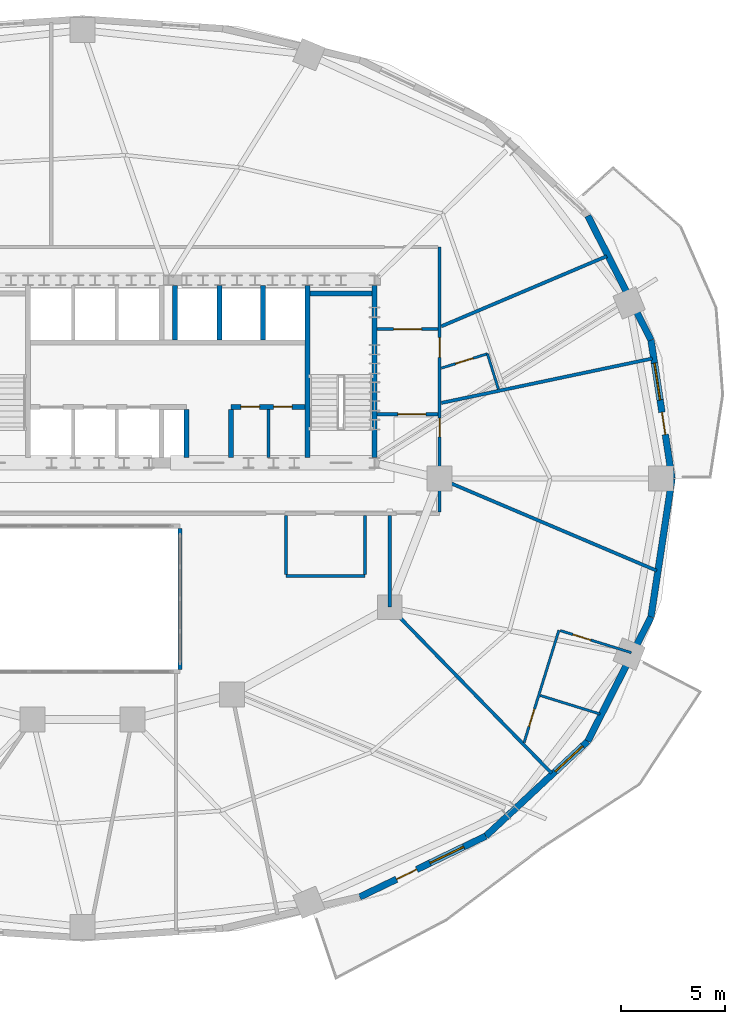
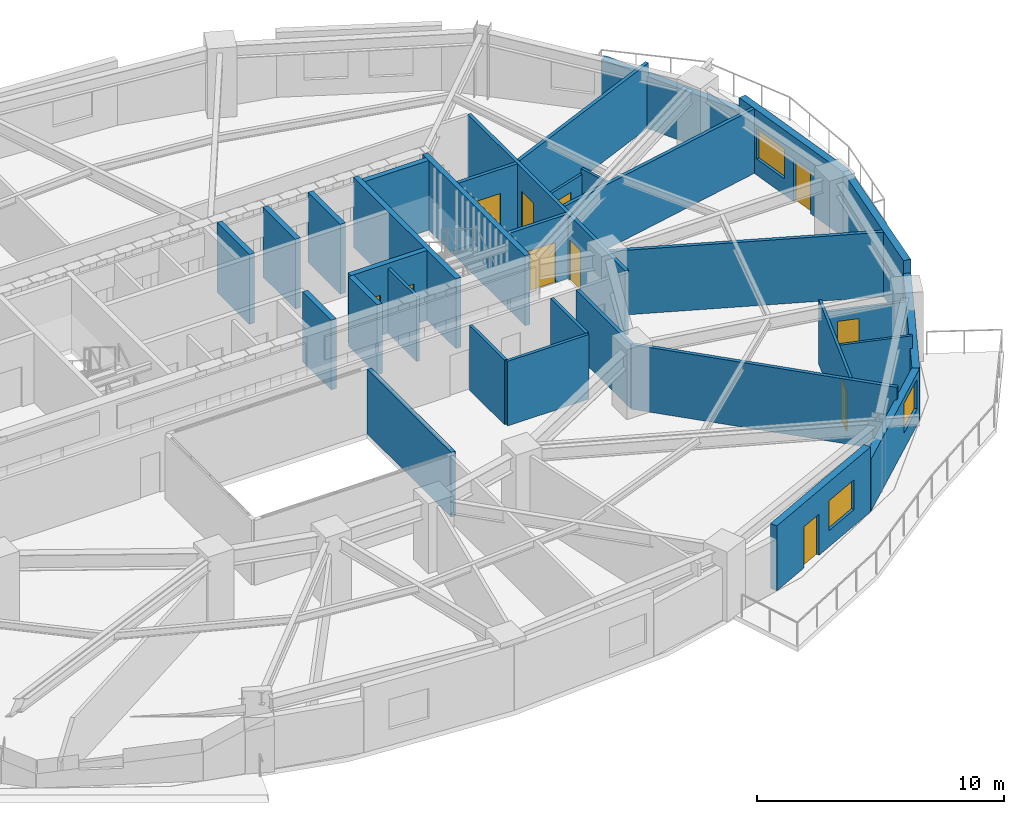
# One storey, part 8 of 12: 33 walls, 11 doors, 3 windows, 14 openings.
"""IFC4 building model written with IfcOpenShell, lengths in metres."""

from ifc_helpers import new_model, si_unit, direction, frame, frame_2d, origin, place, context, subcontext, project, spatial, rectangle, extrude, material, layer, layer_set, type_object, element, fill, save


model = new_model("IFC4")

# Units and contexts
model_context = context("Model", 3, precision=1e-05, world=origin(), true_north=direction((0.0, 1.0)))
body_context = subcontext(model_context, "Body", "Model", "MODEL_VIEW")
ifc_project = project(units=[si_unit("LENGTHUNIT", "METRE"), si_unit("AREAUNIT", "SQUARE_METRE"), si_unit("VOLUMEUNIT", "CUBIC_METRE"), si_unit("PLANEANGLEUNIT", "RADIAN"), si_unit("MASSUNIT", "GRAM", prefix="KILO")], contexts=[model_context])

# Site, building, storey
site_placement = place(None, origin())
site = spatial("IfcSite", under=ifc_project, at=site_placement, CompositionType="ELEMENT")
building_placement = place(site_placement, origin())
building = spatial("IfcBuilding", under=site, at=building_placement, Name="Haldorwick Loom Tower", CompositionType="ELEMENT")
storey_placement = place(building_placement, frame((0.0, 0.0, 110.449951171875)))
storey = spatial("IfcBuildingStorey", under=building, at=storey_placement, Name="L29", CompositionType="ELEMENT", Elevation=110.449951171875)

# Wall, openings, door, window
ifc_material_1 = material(Name="Pressed Clay Face Brick and Insulated Masonry Backup Assembly", Category="masonry")
ifc_layer_1 = layer(ifc_material_1, 0.320068359375, Name="Pressed Clay Face Brick and Insulated Masonry Backup Assembly", Category="masonry")
ifc_layer_set_1 = layer_set([ifc_layer_1], Name="Pressed Clay Face Brick and Insulated Masonry Backup Assembly")
wall_type_1 = type_object("IfcWallType", Name="ARC-WL-EXT320", PredefinedType="STANDARD", material=ifc_layer_set_1)
wall_1_placement = place(storey_placement, frame((64.397705078125, 26.0, 0.0), z_axis=(0.0, 0.0, 1.0), x_axis=(-0.150633288003, 0.988589708901, 0.0)))
wall_1 = element("IfcWall", 1, at=wall_1_placement, inside=storey, type_object=wall_type_1, Name="L29 Brick Pier and Spandrel Wall 1", PredefinedType="STANDARD", context=body_context, shape_type="SweptSolid", body=[
    extrude(rectangle(XDim=6.752197265625, YDim=0.320068359375, at=frame_2d((3.3759765625, 0.0))), origin(), (0.0, 0.0, 1.0), 3.2099609375),
])
opening_1_placement = place(wall_1_placement, frame((2.144287109375, 0.0, 0.0)))
opening_1 = element("IfcOpeningElement", 2, at=opening_1_placement, cuts=wall_1, Name="Opening D-BL11", PredefinedType="OPENING", context=body_context, shape_type="SweptSolid", body=[
    extrude(rectangle(XDim=1.080078125, YDim=2.0400390625, at=frame_2d((0.5400390625, 1.02001953125))), frame((0.0, 0.169921875, 0.0), z_axis=(0.0, -1.0, 0.0), x_axis=(1.0, 0.0, 0.0)), (0.0, 0.0, 1.0), 0.340087890625),
])
opening_2_placement = place(wall_1_placement, frame((3.826416015625, 0.0, 0.800048828125)))
opening_2 = element("IfcOpeningElement", 3, at=opening_2_placement, cuts=wall_1, Name="Opening W-01", PredefinedType="OPENING", context=body_context, shape_type="SweptSolid", body=[
    extrude(rectangle(XDim=1.800048828125, YDim=1.47998046875, at=frame_2d((0.89990234375, 0.739990234375))), frame((0.0, 0.169921875, 0.0), z_axis=(0.0, -1.0, 0.0), x_axis=(1.0, 0.0, 0.0)), (0.0, 0.0, 1.0), 0.340087890625),
])
ifc_material_2 = material(Name="Thermally Broken Anodized Aluminium Curtain Wall Framing", Category="aluminium")
door_type_1 = type_object("IfcDoorType", Name="ARC-DR-BAL110", OperationType="NOTDEFINED", PredefinedType="DOOR", material=ifc_material_2)
door_1_placement = place(opening_1_placement, origin())
door_1 = element("IfcDoor", 4, at=door_1_placement, inside=storey, type_object=door_type_1, Name="L29 Outdoor Terrace Door SLB-L29-BAL_ENE", OperationType="SINGLE_SWING_RIGHT", OverallHeight=2.0400390625, OverallWidth=1.080078125, PredefinedType="DOOR", context=body_context, shape_type="SweptSolid", body=[
    extrude(rectangle(XDim=1.080078125, YDim=2.0400390625, at=frame_2d((0.5400390625, 1.02001953125))), frame((0.0, 0.02490234375, 0.0), z_axis=(0.0, -1.0, 0.0), x_axis=(1.0, 0.0, 0.0)), (0.0, 0.0, 1.0), 0.050048828125),
])
fill(opening_1, door_1)
ifc_material_3 = material(Name="Triple-Glazed Low-E Argon Insulated Glazing Unit", Category="glass")
window_type = type_object("IfcWindowType", Name="ARC-WIN-W180", PartitioningType="SINGLE_PANEL", PredefinedType="WINDOW", material=ifc_material_3)
window_1_placement = place(opening_2_placement, origin())
window_1 = element("IfcWindow", 5, at=window_1_placement, inside=storey, type_object=window_type, Name="L29 Deep-Set Zone 7A Window 1", OverallHeight=1.47998046875, OverallWidth=1.800048828125, PartitioningType="SINGLE_PANEL", PredefinedType="WINDOW", context=body_context, shape_type="SweptSolid", body=[
    extrude(rectangle(XDim=1.800048828125, YDim=1.47998046875, at=frame_2d((0.89990234375, 0.739990234375))), frame((0.0, 0.030029296875, 0.0), z_axis=(0.0, -1.0, 0.0), x_axis=(1.0, 0.0, 0.0)), (0.0, 0.0, 1.0), 0.06005859375),
])
fill(opening_2, window_1)

# Wall
wall_2_placement = place(storey_placement, frame((63.380615234375, 32.675048828125, 0.0), z_axis=(0.0, 0.0, 1.0), x_axis=(-0.453374078001, 0.89132033826, 0.0)))
element("IfcWall", 6, at=wall_2_placement, inside=storey, type_object=wall_type_1, Name="L29 Brick Pier and Spandrel Wall 2", PredefinedType="STANDARD", context=body_context, shape_type="SweptSolid", body=[
    extrude(rectangle(XDim=6.709716796875, YDim=0.320068359375, at=frame_2d((3.35498046875, 0.0))), origin(), (0.0, 0.0, 1.0), 2.569091796875),
])

# Wall, openings, door, window
wall_3_placement = place(storey_placement, frame((49.352783203125, 5.841552734375, 0.0), z_axis=(0.0, 0.0, 1.0), x_axis=(0.900510094661, 0.434835106004, 0.0)))
wall_3 = element("IfcWall", 7, at=wall_3_placement, inside=storey, type_object=wall_type_1, Name="L29 Brick Pier and Spandrel Wall 21", PredefinedType="STANDARD", context=body_context, shape_type="SweptSolid", body=[
    extrude(rectangle(XDim=6.744873046875, YDim=0.320068359375, at=frame_2d((3.37255859375, 0.0))), origin(), (0.0, 0.0, 1.0), 3.2099609375),
])
opening_3_placement = place(wall_3_placement, frame((1.96826171875, 0.0, 0.0)))
opening_3 = element("IfcOpeningElement", 8, at=opening_3_placement, cuts=wall_3, Name="Opening D-BL11", PredefinedType="OPENING", context=body_context, shape_type="SweptSolid", body=[
    extrude(rectangle(XDim=1.080078125, YDim=2.0400390625, at=frame_2d((0.5400390625, 1.02001953125))), frame((0.0, 0.169921875, 0.0), z_axis=(0.0, -1.0, 0.0), x_axis=(1.0, 0.0, 0.0)), (0.0, 0.0, 1.0), 0.340087890625),
])
opening_4_placement = place(wall_3_placement, frame((3.763916015625, 0.0, 0.800048828125)))
opening_4 = element("IfcOpeningElement", 9, at=opening_4_placement, cuts=wall_3, Name="Opening W-01", PredefinedType="OPENING", context=body_context, shape_type="SweptSolid", body=[
    extrude(rectangle(XDim=1.800048828125, YDim=1.47998046875, at=frame_2d((0.89990234375, 0.739990234375))), frame((0.0, 0.169921875, 0.0), z_axis=(0.0, -1.0, 0.0), x_axis=(1.0, 0.0, 0.0)), (0.0, 0.0, 1.0), 0.340087890625),
])
door_2_placement = place(opening_3_placement, origin())
door_2 = element("IfcDoor", 10, at=door_2_placement, inside=storey, type_object=door_type_1, Name="L29 Outdoor Terrace Door SLB-L29-BAL_SE", OperationType="SINGLE_SWING_RIGHT", OverallHeight=2.0400390625, OverallWidth=1.080078125, PredefinedType="DOOR", context=body_context, shape_type="SweptSolid", body=[
    extrude(rectangle(XDim=1.080078125, YDim=2.0400390625, at=frame_2d((0.5400390625, 1.02001953125))), frame((0.0, 0.02490234375, 0.0), z_axis=(0.0, -1.0, 0.0), x_axis=(1.0, 0.0, 0.0)), (0.0, 0.0, 1.0), 0.050048828125),
])
fill(opening_3, door_2)
window_2_placement = place(opening_4_placement, origin())
window_2 = element("IfcWindow", 11, at=window_2_placement, inside=storey, type_object=window_type, Name="L29 Deep-Set Zone 7A Window 21", OverallHeight=1.47998046875, OverallWidth=1.800048828125, PartitioningType="SINGLE_PANEL", PredefinedType="WINDOW", context=body_context, shape_type="SweptSolid", body=[
    extrude(rectangle(XDim=1.800048828125, YDim=1.47998046875, at=frame_2d((0.89990234375, 0.739990234375))), frame((0.0, 0.030029296875, 0.0), z_axis=(0.0, -1.0, 0.0), x_axis=(1.0, 0.0, 0.0)), (0.0, 0.0, 1.0), 0.06005859375),
])
fill(opening_4, window_2)

# Wall, opening, window
wall_4_placement = place(storey_placement, frame((55.426513671875, 8.7744140625, 0.0), z_axis=(0.0, 0.0, 1.0), x_axis=(0.732137360086, 0.681157020052, 0.0)))
wall_4 = element("IfcWall", 12, at=wall_4_placement, inside=storey, type_object=wall_type_1, Name="L29 Brick Pier and Spandrel Wall 22", PredefinedType="STANDARD", context=body_context, shape_type="SweptSolid", body=[
    extrude(rectangle(XDim=6.709228515625, YDim=0.320068359375, at=frame_2d((3.3544921875, 0.0))), origin(), (0.0, 0.0, 1.0), 2.569091796875),
])
opening_5_placement = place(wall_4_placement, frame((4.569580078125, 0.0, 0.800048828125)))
opening_5 = element("IfcOpeningElement", 13, at=opening_5_placement, cuts=wall_4, Name="Opening W-01", PredefinedType="OPENING", context=body_context, shape_type="SweptSolid", body=[
    extrude(rectangle(XDim=1.800048828125, YDim=1.47998046875, at=frame_2d((0.89990234375, 0.739990234375))), frame((0.0, 0.169921875, 0.0), z_axis=(0.0, -1.0, 0.0), x_axis=(1.0, 0.0, 0.0)), (0.0, 0.0, 1.0), 0.340087890625),
])
window_3_placement = place(opening_5_placement, origin())
window_3 = element("IfcWindow", 14, at=window_3_placement, inside=storey, type_object=window_type, Name="L29 Deep-Set Zone 7A Window 22", OverallHeight=1.47998046875, OverallWidth=1.800048828125, PartitioningType="SINGLE_PANEL", PredefinedType="WINDOW", context=body_context, shape_type="SweptSolid", body=[
    extrude(rectangle(XDim=1.800048828125, YDim=1.47998046875, at=frame_2d((0.89990234375, 0.739990234375))), frame((0.0, 0.030029296875, 0.0), z_axis=(0.0, -1.0, 0.0), x_axis=(1.0, 0.0, 0.0)), (0.0, 0.0, 1.0), 0.06005859375),
])
fill(opening_5, window_3)

# Walls
wall_5_placement = place(storey_placement, frame((60.338623046875, 13.344482421875, 0.0), z_axis=(0.0, 0.0, 1.0), x_axis=(0.453374078001, 0.89132033826, 0.0)))
element("IfcWall", 15, at=wall_5_placement, inside=storey, type_object=wall_type_1, Name="L29 Brick Pier and Spandrel Wall 23", PredefinedType="STANDARD", context=body_context, shape_type="SweptSolid", body=[
    extrude(rectangle(XDim=6.709716796875, YDim=0.320068359375, at=frame_2d((3.35498046875, 0.0))), origin(), (0.0, 0.0, 1.0), 2.569091796875),
])
wall_6_placement = place(storey_placement, frame((63.380615234375, 19.324951171875, 0.0), z_axis=(0.0, 0.0, 1.0), x_axis=(0.150633288003, 0.988589708901, 0.0)))
element("IfcWall", 16, at=wall_6_placement, inside=storey, type_object=wall_type_1, Name="L29 Brick Pier and Spandrel Wall 24", PredefinedType="STANDARD", context=body_context, shape_type="SweptSolid", body=[
    extrude(rectangle(XDim=6.752197265625, YDim=0.320068359375, at=frame_2d((3.3759765625, 0.0))), origin(), (0.0, 0.0, 1.0), 3.2099609375),
])

# Wall, openings, doors
ifc_material_4 = material(Name="Fire-Rated Type X Gypsum Stud Assembly EI 60")
ifc_layer_2 = layer(ifc_material_4, 0.159912109375, Name="Fire-Rated Type X Gypsum Stud Assembly EI 60")
ifc_layer_set_2 = layer_set([ifc_layer_2], Name="Fire-Rated Type X Gypsum Stud Assembly EI 60")
wall_type_2 = type_object("IfcWallType", Name="ARC-WL-FIRE160", PredefinedType="PARTITIONING", material=ifc_layer_set_2)
wall_7_placement = place(storey_placement, frame((53.199951171875, 24.383056640625, 0.0), z_axis=(0.0, 0.0, 1.0), x_axis=(0.0, 1.0, 0.0)))
wall_7 = element("IfcWall", 17, at=wall_7_placement, inside=storey, type_object=wall_type_2, Name="L29 Residential Fire Partition L29-CR-E0", PredefinedType="PARTITIONING", context=body_context, shape_type="SweptSolid", body=[
    extrude(rectangle(XDim=12.766845703125, YDim=0.159912109375, at=frame_2d((6.38330078125, 0.0))), origin(), (0.0, 0.0, 1.0), 3.195068359375),
])
opening_6_placement = place(wall_7_placement, frame((3.622802734375, 0.0, 0.0)))
opening_6 = element("IfcOpeningElement", 18, at=opening_6_placement, cuts=wall_7, Name="Opening D-FD60A", PredefinedType="OPENING", context=body_context, shape_type="SweptSolid", body=[
    extrude(rectangle(XDim=0.89990234375, YDim=2.0, at=frame_2d((0.449951171875, 1.0))), frame((0.0, 0.08984375, 0.0), z_axis=(0.0, -1.0, 0.0), x_axis=(1.0, 0.0, 0.0)), (0.0, 0.0, 1.0), 0.179931640625),
])
opening_7_placement = place(wall_7_placement, frame((7.44921875, 0.0, 0.0)))
opening_7 = element("IfcOpeningElement", 19, at=opening_7_placement, cuts=wall_7, Name="Opening D-FL95", PredefinedType="OPENING", context=body_context, shape_type="SweptSolid", body=[
    extrude(rectangle(XDim=0.949951171875, YDim=2.0400390625, at=frame_2d((0.47509765625, 1.02001953125))), frame((0.0, 0.08984375, 0.0), z_axis=(0.0, -1.0, 0.0), x_axis=(1.0, 0.0, 0.0)), (0.0, 0.0, 1.0), 0.179931640625),
])
ifc_material_5 = material(Name="Hollow Steel Fire Door Assembly", Category="steel")
door_type_2 = type_object("IfcDoorType", Name="ARC-DR-FD60-90", OperationType="NOTDEFINED", PredefinedType="DOOR", material=ifc_material_5)
door_3_placement = place(opening_6_placement, origin())
door_3 = element("IfcDoor", 20, at=door_3_placement, inside=storey, type_object=door_type_2, Name="L29 L29 Central Residential Corridor to Community Music Hall 2 Door", OperationType="SINGLE_SWING_RIGHT", OverallHeight=2.0, OverallWidth=0.89990234375, PredefinedType="DOOR", context=body_context, shape_type="SweptSolid", body=[
    extrude(rectangle(XDim=0.89990234375, YDim=2.0, at=frame_2d((0.449951171875, 1.0))), frame((0.0, 0.02490234375, 0.0), z_axis=(0.0, -1.0, 0.0), x_axis=(1.0, 0.0, 0.0)), (0.0, 0.0, 1.0), 0.050048828125),
])
fill(opening_6, door_3)
ifc_material_6 = material(Name="Solid Core Birch Architectural Door")
door_type_3 = type_object("IfcDoorType", Name="ARC-DR-FLAT95", OperationType="NOTDEFINED", PredefinedType="DOOR", material=ifc_material_6)
door_4_placement = place(opening_7_placement, origin())
door_4 = element("IfcDoor", 21, at=door_4_placement, inside=storey, type_object=door_type_3, Name="L29 L29 East Residential Corridor to Unit 29C Kitchen and Studio Living ", OperationType="SINGLE_SWING_RIGHT", OverallHeight=2.0400390625, OverallWidth=0.949951171875, PredefinedType="DOOR", context=body_context, shape_type="SweptSolid", body=[
    extrude(rectangle(XDim=0.949951171875, YDim=2.0400390625, at=frame_2d((0.47509765625, 1.02001953125))), frame((0.0, 0.02490234375, 0.0), z_axis=(0.0, -1.0, 0.0), x_axis=(1.0, 0.0, 0.0)), (0.0, 0.0, 1.0), 0.050048828125),
])
fill(opening_7, door_4)

# Wall, opening, door
wall_8_placement = place(storey_placement, frame((50.193115234375, 29.10009765625, 0.0), z_axis=(0.0, 0.0, 1.0), x_axis=(1.0, 0.0, 0.0)))
wall_8 = element("IfcWall", 22, at=wall_8_placement, inside=storey, type_object=wall_type_2, Name="L29 Residential Fire Partition L29-CR-ESJ", PredefinedType="PARTITIONING", context=body_context, shape_type="SweptSolid", body=[
    extrude(rectangle(XDim=2.923828125, YDim=0.159912109375, at=frame_2d((1.4619140625, 0.0))), origin(), (0.0, 0.0, 1.0), 3.195068359375),
])
opening_8_placement = place(wall_8_placement, frame((0.99560546875, 0.0, 0.0)))
opening_8 = element("IfcOpeningElement", 23, at=opening_8_placement, cuts=wall_8, Name="Opening D-CR15", PredefinedType="OPENING", context=body_context, shape_type="SweptSolid", body=[
    extrude(rectangle(XDim=1.35009765625, YDim=2.0, at=frame_2d((0.675048828125, 1.0))), frame((0.0, 0.08984375, 0.0), z_axis=(0.0, -1.0, 0.0), x_axis=(1.0, 0.0, 0.0)), (0.0, 0.0, 1.0), 0.179931640625),
])
ifc_material_7 = material(Name="Thermally Broken Anodized Aluminium and Tempered Glass", Category="aluminium")
door_type_4 = type_object("IfcDoorType", Name="ARC-DR-COR150", OperationType="NOTDEFINED", PredefinedType="DOOR", material=ifc_material_7)
door_5_placement = place(opening_8_placement, origin())
door_5 = element("IfcDoor", 24, at=door_5_placement, inside=storey, type_object=door_type_4, Name="L29 L29 East Residential Corridor to L29 Central Residential Corridor Do", OperationType="DOUBLE_DOOR_SINGLE_SWING", OverallHeight=2.0, OverallWidth=1.35009765625, PredefinedType="DOOR", context=body_context, shape_type="SweptSolid", body=[
    extrude(rectangle(XDim=1.35009765625, YDim=2.0, at=frame_2d((0.675048828125, 1.0))), frame((0.0, 0.02490234375, 0.0), z_axis=(0.0, -1.0, 0.0), x_axis=(1.0, 0.0, 0.0)), (0.0, 0.0, 1.0), 0.050048828125),
])
fill(opening_8, door_5)

wall_9_placement = place(storey_placement, frame((50.193115234375, 33.199951171875, 0.0), z_axis=(0.0, 0.0, 1.0), x_axis=(1.0, 0.0, 0.0)))
wall_9 = element("IfcWall", 25, at=wall_9_placement, inside=storey, type_object=wall_type_2, Name="L29 Residential Fire Partition L29-CR-ENJ", PredefinedType="PARTITIONING", context=body_context, shape_type="SweptSolid", body=[
    extrude(rectangle(XDim=2.923828125, YDim=0.159912109375, at=frame_2d((1.4619140625, 0.0))), origin(), (0.0, 0.0, 1.0), 3.195068359375),
])
opening_9_placement = place(wall_9_placement, frame((0.787109375, 0.0, 0.0)))
opening_9 = element("IfcOpeningElement", 26, at=opening_9_placement, cuts=wall_9, Name="Opening D-CR15", PredefinedType="OPENING", context=body_context, shape_type="SweptSolid", body=[
    extrude(rectangle(XDim=1.35009765625, YDim=2.0, at=frame_2d((0.675048828125, 1.0))), frame((0.0, 0.08984375, 0.0), z_axis=(0.0, -1.0, 0.0), x_axis=(1.0, 0.0, 0.0)), (0.0, 0.0, 1.0), 0.179931640625),
])
door_6_placement = place(opening_9_placement, origin())
door_6 = element("IfcDoor", 27, at=door_6_placement, inside=storey, type_object=door_type_4, Name="L29 L29 North Residential Corridor to L29 East Residential Corridor Door", OperationType="DOUBLE_DOOR_SINGLE_SWING", OverallHeight=2.0, OverallWidth=1.35009765625, PredefinedType="DOOR", context=body_context, shape_type="SweptSolid", body=[
    extrude(rectangle(XDim=1.35009765625, YDim=2.0, at=frame_2d((0.675048828125, 1.0))), frame((0.0, 0.02490234375, 0.0), z_axis=(0.0, -1.0, 0.0), x_axis=(1.0, 0.0, 0.0)), (0.0, 0.0, 1.0), 0.050048828125),
])
fill(opening_9, door_6)

# Walls
wall_10_placement = place(storey_placement, frame((53.282958984375, 25.96484375, 0.0), z_axis=(0.0, 0.0, 1.0), x_axis=(0.920498907927, -0.390745134973, 0.0)))
element("IfcWall", 28, at=wall_10_placement, inside=storey, type_object=wall_type_2, Name="L29 Residential Fire Partition L29-ICR-01", PredefinedType="PARTITIONING", context=body_context, shape_type="SweptSolid", body=[
    extrude(rectangle(XDim=11.268310546875, YDim=0.159912109375, at=frame_2d((5.63427734375, 0.0))), origin(), (0.0, 0.0, 1.0), 3.195068359375),
])
wall_11_placement = place(storey_placement, frame((50.800048828125, 19.800048828125, 0.0), z_axis=(0.0, 0.0, 1.0), x_axis=(0.69803761875, -0.716061088742, 0.0)))
element("IfcWall", 29, at=wall_11_placement, inside=storey, type_object=wall_type_2, Name="L29 Residential Fire Partition L29-ICR-03", PredefinedType="PARTITIONING", context=body_context, shape_type="SweptSolid", body=[
    extrude(rectangle(XDim=11.16162109375, YDim=0.159912109375, at=frame_2d((5.580810546875, 0.0))), origin(), (0.0, 0.0, 1.0), 3.195068359375),
])
wall_12_placement = place(storey_placement, frame((50.800048828125, 24.217041015625, 0.0), z_axis=(0.0, 0.0, 1.0), x_axis=(0.0, -1.0, 0.0)))
element("IfcWall", 30, at=wall_12_placement, inside=storey, type_object=wall_type_2, Name="L29 Residential Fire Partition L29-ICA-02", PredefinedType="PARTITIONING", context=body_context, shape_type="SweptSolid", body=[
    extrude(rectangle(XDim=4.4169921875, YDim=0.159912109375, at=frame_2d((2.20849609375, 0.0))), origin(), (0.0, 0.0, 1.0), 3.195068359375),
])
wall_13_placement = place(storey_placement, frame((53.282958984375, 33.330078125, 0.0), z_axis=(0.0, 0.0, 1.0), x_axis=(0.920630308553, 0.390435442772, 0.0)))
element("IfcWall", 31, at=wall_13_placement, inside=storey, type_object=wall_type_2, Name="L29 Suite Split Wall", PredefinedType="PARTITIONING", context=body_context, shape_type="SweptSolid", body=[
    extrude(rectangle(XDim=8.6591796875, YDim=0.159912109375, at=frame_2d((4.32958984375, 0.0))), origin(), (0.0, 0.0, 1.0), 3.195068359375),
])
wall_14_placement = place(storey_placement, frame((53.282958984375, 29.64013671875, 0.0), z_axis=(0.0, 0.0, 1.0), x_axis=(0.978535573252, 0.206077975245, 0.0)))
element("IfcWall", 32, at=wall_14_placement, inside=storey, type_object=wall_type_2, Name="L29 Suite Split Wall", PredefinedType="PARTITIONING", context=body_context, shape_type="SweptSolid", body=[
    extrude(rectangle(XDim=10.39111328125, YDim=0.159912109375, at=frame_2d((5.195556640625, 0.0))), origin(), (0.0, 0.0, 1.0), 3.195068359375),
])
ifc_material_8 = material(Name="Fire-Rated Type X Gypsum Stud Assembly EI 120")
ifc_layer_3 = layer(ifc_material_8, 0.199951171875, Name="Fire-Rated Type X Gypsum Stud Assembly EI 120")
ifc_layer_set_3 = layer_set([ifc_layer_3], Name="Fire-Rated Type X Gypsum Stud Assembly EI 120")
wall_type_3 = type_object("IfcWallType", Name="ARC-WL-FIRE200", PredefinedType="PARTITIONING", material=ifc_layer_set_3)
wall_15_placement = place(storey_placement, frame((40.699951171875, 23.596923828125, 0.0), z_axis=(0.0, 0.0, 1.0), x_axis=(0.0, -1.0, 0.0)))
element("IfcWall", 33, at=wall_15_placement, inside=storey, type_object=wall_type_3, Name="L29 Atrium Fire Enclosure Wall E", PredefinedType="PARTITIONING", context=body_context, shape_type="SweptSolid", body=[
    extrude(rectangle(XDim=6.7939453125, YDim=0.199951171875, at=frame_2d((3.39697265625, 0.0))), origin(), (0.0, 0.0, 1.0), 3.195068359375),
])

# Wall, opening, door
ifc_material_9 = material(Name="Acoustic Gypsum Stud Assembly STC 55")
ifc_layer_4 = layer(ifc_material_9, 0.1201171875, Name="Acoustic Gypsum Stud Assembly STC 55")
ifc_layer_set_4 = layer_set([ifc_layer_4], Name="Acoustic Gypsum Stud Assembly STC 55")
wall_type_4 = type_object("IfcWallType", Name="ARC-WL-PART120", PredefinedType="PARTITIONING", material=ifc_layer_set_4)
wall_16_placement = place(storey_placement, frame((57.27001953125, 13.28173828125, 0.0), z_axis=(0.0, 0.0, 1.0), x_axis=(0.29614712292, 0.955142335773, 0.0)))
wall_16 = element("IfcWall", 34, at=wall_16_placement, inside=storey, type_object=wall_type_4, Name="L29 Unit 29A Interior Partition", PredefinedType="PARTITIONING", context=body_context, shape_type="SweptSolid", body=[
    extrude(rectangle(XDim=5.666015625, YDim=0.1201171875, at=frame_2d((2.8330078125, 0.0))), origin(), (0.0, 0.0, 1.0), 3.195068359375),
])
opening_10_placement = place(wall_16_placement, frame((0.806396484375, 0.0, 0.0)))
opening_10 = element("IfcOpeningElement", 35, at=opening_10_placement, cuts=wall_16, Name="Opening D-BT88", PredefinedType="OPENING", context=body_context, shape_type="SweptSolid", body=[
    extrude(rectangle(XDim=0.8798828125, YDim=2.02001953125, at=frame_2d((0.43994140625, 1.010009765625))), frame((0.0, 0.070068359375, 0.0), z_axis=(0.0, -1.0, 0.0), x_axis=(1.0, 0.0, 0.0)), (0.0, 0.0, 1.0), 0.14013671875),
])
door_type_5 = type_object("IfcDoorType", Name="ARC-DR-BATH88", OperationType="NOTDEFINED", PredefinedType="DOOR", material=ifc_material_6)
door_7_placement = place(opening_10_placement, origin())
door_7 = element("IfcDoor", 36, at=door_7_placement, inside=storey, type_object=door_type_5, Name="L29 Unit 29A Kitchen and Penthouse Living Room to Unit 29A Bathroom Door", OperationType="SINGLE_SWING_RIGHT", OverallHeight=2.02001953125, OverallWidth=0.8798828125, PredefinedType="DOOR", context=body_context, shape_type="SweptSolid", body=[
    extrude(rectangle(XDim=0.8798828125, YDim=2.02001953125, at=frame_2d((0.43994140625, 1.010009765625))), frame((0.0, 0.02490234375, 0.0), z_axis=(0.0, -1.0, 0.0), x_axis=(1.0, 0.0, 0.0)), (0.0, 0.0, 1.0), 0.050048828125),
])
fill(opening_10, door_7)

wall_17_placement = place(storey_placement, frame((59.008056640625, 18.6748046875, 0.0), z_axis=(0.0, 0.0, 1.0), x_axis=(0.955157710932, -0.296097529959, 0.0)))
wall_17 = element("IfcWall", 37, at=wall_17_placement, inside=storey, type_object=wall_type_4, Name="L29 Unit 29A Interior Partition", PredefinedType="PARTITIONING", context=body_context, shape_type="SweptSolid", body=[
    extrude(rectangle(XDim=3.589111328125, YDim=0.1201171875, at=frame_2d((1.79443359375, 0.0))), origin(), (0.0, 0.0, 1.0), 2.568115234375),
])
opening_11_placement = place(wall_17_placement, frame((0.644287109375, 0.0, 0.0)))
opening_11 = element("IfcOpeningElement", 38, at=opening_11_placement, cuts=wall_17, Name="Opening D-IN90", PredefinedType="OPENING", context=body_context, shape_type="SweptSolid", body=[
    extrude(rectangle(XDim=0.89990234375, YDim=2.0400390625, at=frame_2d((0.449951171875, 1.02001953125))), frame((0.0, 0.070068359375, 0.0), z_axis=(0.0, -1.0, 0.0), x_axis=(1.0, 0.0, 0.0)), (0.0, 0.0, 1.0), 0.14013671875),
])
door_type_6 = type_object("IfcDoorType", Name="ARC-DR-INT90", OperationType="NOTDEFINED", PredefinedType="DOOR", material=ifc_material_6)
door_8_placement = place(opening_11_placement, origin())
door_8 = element("IfcDoor", 39, at=door_8_placement, inside=storey, type_object=door_type_6, Name="L29 Unit 29A Kitchen and Penthouse Living Room to Unit 29A Bedroom 1 Doo", OperationType="SINGLE_SWING_LEFT", OverallHeight=2.0400390625, OverallWidth=0.89990234375, PredefinedType="DOOR", context=body_context, shape_type="SweptSolid", body=[
    extrude(rectangle(XDim=0.89990234375, YDim=2.0400390625, at=frame_2d((0.449951171875, 1.02001953125))), frame((0.0, 0.02490234375, 0.0), z_axis=(0.0, -1.0, 0.0), x_axis=(1.0, 0.0, 0.0)), (0.0, 0.0, 1.0), 0.050048828125),
])
fill(opening_11, door_8)

# Walls
wall_18_placement = place(storey_placement, frame((58.039794921875, 15.551513671875, 0.0), z_axis=(0.0, 0.0, 1.0), x_axis=(0.955147520776, -0.296130399579, 0.0)))
element("IfcWall", 40, at=wall_18_placement, inside=storey, type_object=wall_type_4, Name="L29 Unit 29A Interior Partition", PredefinedType="PARTITIONING", context=body_context, shape_type="SweptSolid", body=[
    extrude(rectangle(XDim=3.028076171875, YDim=0.1201171875, at=frame_2d((1.51416015625, 0.0))), origin(), (0.0, 0.0, 1.0), 3.195068359375),
])
wall_19_placement = place(storey_placement, frame((56.033935546875, 30.30419921875, 0.0), z_axis=(0.0, 0.0, 1.0), x_axis=(-0.297074870096, 0.954854188637, 0.0)))
element("IfcWall", 41, at=wall_19_placement, inside=storey, type_object=wall_type_4, Name="L29 Unit 29C Interior Partition", PredefinedType="PARTITIONING", context=body_context, shape_type="SweptSolid", body=[
    extrude(rectangle(XDim=1.7841796875, YDim=0.1201171875, at=frame_2d((0.89208984375, 0.0))), origin(), (0.0, 0.0, 1.0), 2.8271484375),
])

# Wall, opening, door
wall_20_placement = place(storey_placement, frame((53.282958984375, 31.317138671875, 0.0), z_axis=(0.0, 0.0, 1.0), x_axis=(0.954891837705, 0.296953831908, 0.0)))
wall_20 = element("IfcWall", 42, at=wall_20_placement, inside=storey, type_object=wall_type_4, Name="L29 Unit 29C Interior Partition", PredefinedType="PARTITIONING", context=body_context, shape_type="SweptSolid", body=[
    extrude(rectangle(XDim=2.325927734375, YDim=0.1201171875, at=frame_2d((1.1630859375, 0.0))), origin(), (0.0, 0.0, 1.0), 2.568115234375),
])
opening_12_placement = place(wall_20_placement, frame((0.722900390625, 0.0, 0.0)))
opening_12 = element("IfcOpeningElement", 43, at=opening_12_placement, cuts=wall_20, Name="Opening D-BT88", PredefinedType="OPENING", context=body_context, shape_type="SweptSolid", body=[
    extrude(rectangle(XDim=0.8798828125, YDim=2.02001953125, at=frame_2d((0.43994140625, 1.010009765625))), frame((0.0, 0.070068359375, 0.0), z_axis=(0.0, -1.0, 0.0), x_axis=(1.0, 0.0, 0.0)), (0.0, 0.0, 1.0), 0.14013671875),
])
door_9_placement = place(opening_12_placement, origin())
door_9 = element("IfcDoor", 44, at=door_9_placement, inside=storey, type_object=door_type_5, Name="L29 Unit 29C Kitchen and Studio Living Room to Unit 29C Bathroom Door", OperationType="SINGLE_SWING_LEFT", OverallHeight=2.02001953125, OverallWidth=0.8798828125, PredefinedType="DOOR", context=body_context, shape_type="SweptSolid", body=[
    extrude(rectangle(XDim=0.8798828125, YDim=2.02001953125, at=frame_2d((0.43994140625, 1.010009765625))), frame((0.0, 0.02490234375, 0.0), z_axis=(0.0, -1.0, 0.0), x_axis=(1.0, 0.0, 0.0)), (0.0, 0.0, 1.0), 0.050048828125),
])
fill(opening_12, door_9)

# Walls
ifc_layer_5 = layer(ifc_material_4, 0.139892578125, Name="Fire-Rated Type X Gypsum Stud Assembly EI 60")
ifc_layer_set_5 = layer_set([ifc_layer_5], Name="Fire-Rated Type X Gypsum Stud Assembly EI 60")
wall_type_5 = type_object("IfcWallType", Name="ARC-WL-PART140", PredefinedType="PARTITIONING", material=ifc_layer_set_5)
wall_21_placement = place(storey_placement, frame((44.949951171875, 27.0029296875, 0.0), z_axis=(0.0, 0.0, 1.0), x_axis=(0.0, 1.0, 0.0)))
element("IfcWall", 45, at=wall_21_placement, inside=storey, type_object=wall_type_5, Name="L29 Service Partition", PredefinedType="PARTITIONING", context=body_context, shape_type="SweptSolid", body=[
    extrude(rectangle(XDim=2.323974609375, YDim=0.139892578125, at=frame_2d((1.162109375, 0.0))), origin(), (0.0, 0.0, 1.0), 3.195068359375),
])
wall_22_placement = place(storey_placement, frame((45.800048828125, 21.300048828125, 0.0), z_axis=(0.0, 0.0, 1.0), x_axis=(1.0, 0.0, 0.0)))
element("IfcWall", 46, at=wall_22_placement, inside=storey, type_object=wall_type_5, Name="L29 Residential Fire Partition L29-CWC-S", PredefinedType="PARTITIONING", context=body_context, shape_type="SweptSolid", body=[
    extrude(rectangle(XDim=3.800048828125, YDim=0.139892578125, at=frame_2d((1.89990234375, 0.0))), origin(), (0.0, 0.0, 1.0), 3.195068359375),
])
for number, where, z_axis, x_axis, name in (
    (47, (45.800048828125, 21.373046875, 0.0), (0.0, 0.0, 1.0), (0.0, 1.0, 0.0), "L29 Residential Fire Partition L29-CWC-W"),
    (48, (49.60009765625, 21.373046875, 0.0), (0.0, 0.0, 1.0), (0.0, 1.0, 0.0), "L29 Residential Fire Partition L29-CWC-E"),
):
    element("IfcWall", number, at=place(storey_placement, frame(where, z_axis=z_axis, x_axis=x_axis)), inside=storey, type_object=wall_type_5, Name=name, PredefinedType="PARTITIONING", context=body_context, shape_type="SweptSolid", body=[
        extrude(rectangle(XDim=2.843994140625, YDim=0.139892578125, at=frame_2d((1.421875, 0.0))), origin(), (0.0, 0.0, 1.0), 3.195068359375),
    ])
ifc_material_10 = material(Name="Concrete C50 (50 MPa)", Category="concrete")
ifc_layer_6 = layer(ifc_material_10, 0.239990234375, Name="Concrete C50 (50 MPa)", Category="concrete")
ifc_layer_set_6 = layer_set([ifc_layer_6], Name="Concrete C50 (50 MPa)")
wall_type_6 = type_object("IfcWallType", Name="STR-WL-SHAFT240", PredefinedType="SHEAR", material=ifc_layer_set_6)
for number, where, z_axis, x_axis, name in (
    (49, (50.070068359375, 27.0029296875, 0.0), (0.0, 0.0, 1.0), (0.0, 1.0, 0.0), "L29 Core Shear Wall E"),
    (50, (46.830078125, 27.0029296875, 0.0), (0.0, 0.0, 1.0), (0.0, 1.0, 0.0), "L29 Core Shear Wall 4"),
):
    element("IfcWall", number, at=place(storey_placement, frame(where, z_axis=z_axis, x_axis=x_axis)), inside=storey, type_object=wall_type_6, Name=name, PredefinedType="SHEAR", context=body_context, shape_type="SweptSolid", body=[
        extrude(rectangle(XDim=8.294189453125, YDim=0.239990234375, at=frame_2d((4.14697265625, 0.0))), origin(), (0.0, 0.0, 1.0), 3.449951171875),
    ])
wall_23_placement = place(storey_placement, frame((46.952880859375, 34.919921875, 0.0), z_axis=(0.0, 0.0, 1.0), x_axis=(1.0, 0.0, 0.0)))
element("IfcWall", 51, at=wall_23_placement, inside=storey, type_object=wall_type_6, Name="L29 Core Shear Wall 4N", PredefinedType="SHEAR", context=body_context, shape_type="SweptSolid", body=[
    extrude(rectangle(XDim=2.994140625, YDim=0.239990234375, at=frame_2d((1.4970703125, 0.0))), origin(), (0.0, 0.0, 1.0), 3.449951171875),
])

# Wall, openings, doors
wall_24_placement = place(storey_placement, frame((43.14990234375, 29.449951171875, 0.0), z_axis=(0.0, 0.0, 1.0), x_axis=(1.0, 0.0, 0.0)))
wall_24 = element("IfcWall", 52, at=wall_24_placement, inside=storey, type_object=wall_type_6, Name="L29 Core Shear Wall LS2", PredefinedType="SHEAR", context=body_context, shape_type="SweptSolid", body=[
    extrude(rectangle(XDim=3.55712890625, YDim=0.239990234375, at=frame_2d((1.778564453125, 0.0))), origin(), (0.0, 0.0, 1.0), 3.449951171875),
])
opening_13_placement = place(wall_24_placement, frame((0.47998046875, 0.0, 0.0)))
opening_13 = element("IfcOpeningElement", 53, at=opening_13_placement, cuts=wall_24, Name="Opening D-FD60A", PredefinedType="OPENING", context=body_context, shape_type="SweptSolid", body=[
    extrude(rectangle(XDim=0.89990234375, YDim=2.0, at=frame_2d((0.449951171875, 1.0))), frame((0.0, 0.1298828125, 0.0), z_axis=(0.0, -1.0, 0.0), x_axis=(1.0, 0.0, 0.0)), (0.0, 0.0, 1.0), 0.260009765625),
])
opening_14_placement = place(wall_24_placement, frame((2.050048828125, 0.0, 0.0)))
opening_14 = element("IfcOpeningElement", 54, at=opening_14_placement, cuts=wall_24, Name="Opening D-FD60A", PredefinedType="OPENING", context=body_context, shape_type="SweptSolid", body=[
    extrude(rectangle(XDim=0.89990234375, YDim=2.0, at=frame_2d((0.449951171875, 1.0))), frame((0.0, 0.1298828125, 0.0), z_axis=(0.0, -1.0, 0.0), x_axis=(1.0, 0.0, 0.0)), (0.0, 0.0, 1.0), 0.260009765625),
])
door_10_placement = place(opening_13_placement, origin())
door_10 = element("IfcDoor", 55, at=door_10_placement, inside=storey, type_object=door_type_2, Name="L29 Electrical Room Door", OperationType="SINGLE_SWING_LEFT", OverallHeight=2.0, OverallWidth=0.89990234375, PredefinedType="DOOR", context=body_context, shape_type="SweptSolid", body=[
    extrude(rectangle(XDim=0.89990234375, YDim=2.0, at=frame_2d((0.449951171875, 1.0))), frame((0.0, 0.02490234375, 0.0), z_axis=(0.0, -1.0, 0.0), x_axis=(1.0, 0.0, 0.0)), (0.0, 0.0, 1.0), 0.050048828125),
])
fill(opening_13, door_10)
door_11_placement = place(opening_14_placement, origin())
door_11 = element("IfcDoor", 56, at=door_11_placement, inside=storey, type_object=door_type_2, Name="L29 Cleaner's Store Door", OperationType="SINGLE_SWING_LEFT", OverallHeight=2.0, OverallWidth=0.89990234375, PredefinedType="DOOR", context=body_context, shape_type="SweptSolid", body=[
    extrude(rectangle(XDim=0.89990234375, YDim=2.0, at=frame_2d((0.449951171875, 1.0))), frame((0.0, 0.02490234375, 0.0), z_axis=(0.0, -1.0, 0.0), x_axis=(1.0, 0.0, 0.0)), (0.0, 0.0, 1.0), 0.050048828125),
])
fill(opening_14, door_11)

# Walls
for number, where, z_axis, x_axis, name in (
    (57, (41.0, 27.0029296875, 0.0), (0.0, 0.0, 1.0), (0.0, 1.0, 0.0), "L29 Core Shear Wall THW"),
    (58, (43.14990234375, 27.0029296875, 0.0), (0.0, 0.0, 1.0), (0.0, 1.0, 0.0), "L29 Core Shear Wall THE"),
):
    element("IfcWall", number, at=place(storey_placement, frame(where, z_axis=z_axis, x_axis=x_axis)), inside=storey, type_object=wall_type_6, Name=name, PredefinedType="SHEAR", context=body_context, shape_type="SweptSolid", body=[
        extrude(rectangle(XDim=2.323974609375, YDim=0.239990234375, at=frame_2d((1.162109375, 0.0))), origin(), (0.0, 0.0, 1.0), 3.449951171875),
    ])
for number, where, z_axis, x_axis, name in (
    (59, (40.449951171875, 32.673095703125, 0.0), (0.0, 0.0, 1.0), (0.0, 1.0, 0.0), "L29 Core Shear Wall H0"),
    (60, (42.60009765625, 32.673095703125, 0.0), (0.0, 0.0, 1.0), (0.0, 1.0, 0.0), "L29 Core Shear Wall H1"),
    (61, (44.699951171875, 32.673095703125, 0.0), (0.0, 0.0, 1.0), (0.0, 1.0, 0.0), "L29 Core Shear Wall H2"),
):
    element("IfcWall", number, at=place(storey_placement, frame(where, z_axis=z_axis, x_axis=x_axis)), inside=storey, type_object=wall_type_6, Name=name, PredefinedType="SHEAR", context=body_context, shape_type="SweptSolid", body=[
        extrude(rectangle(XDim=2.6240234375, YDim=0.239990234375, at=frame_2d((1.31201171875, 0.0))), origin(), (0.0, 0.0, 1.0), 3.449951171875),
    ])

save(model, "model.ifc")
